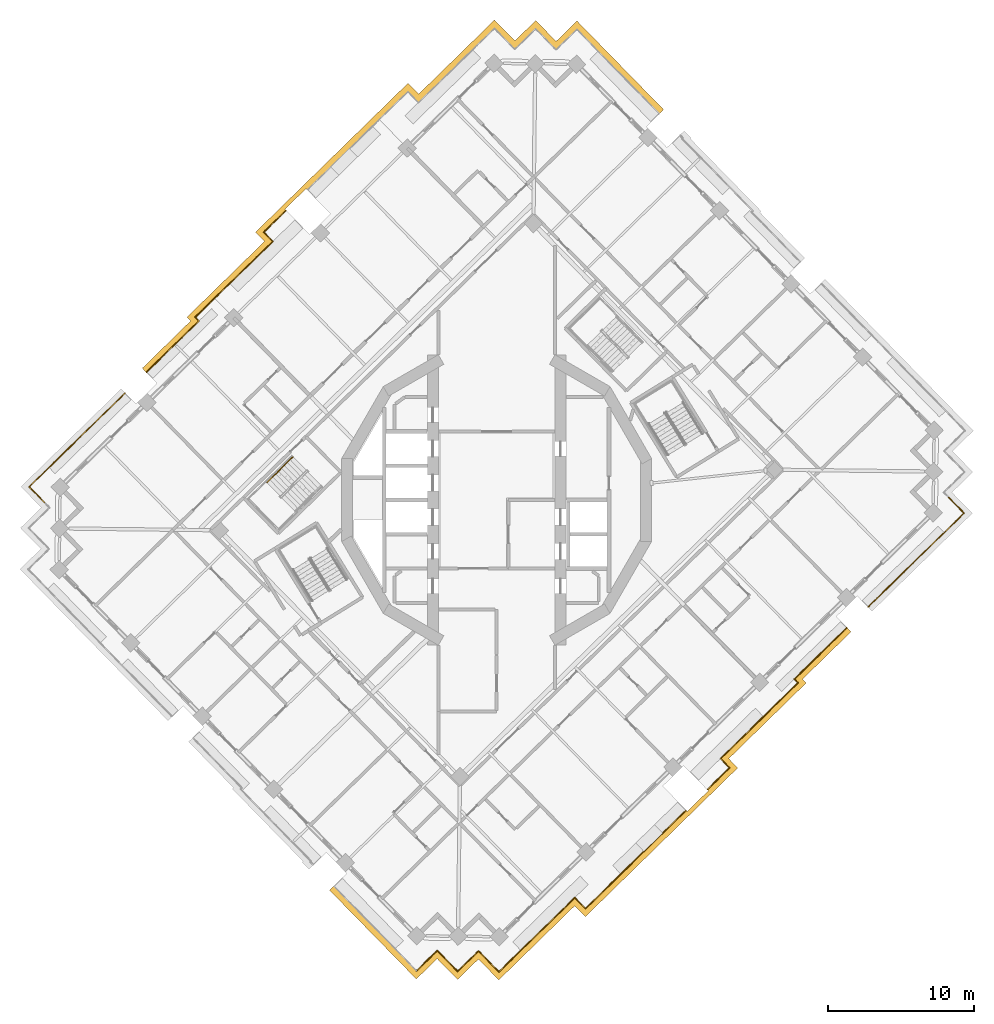
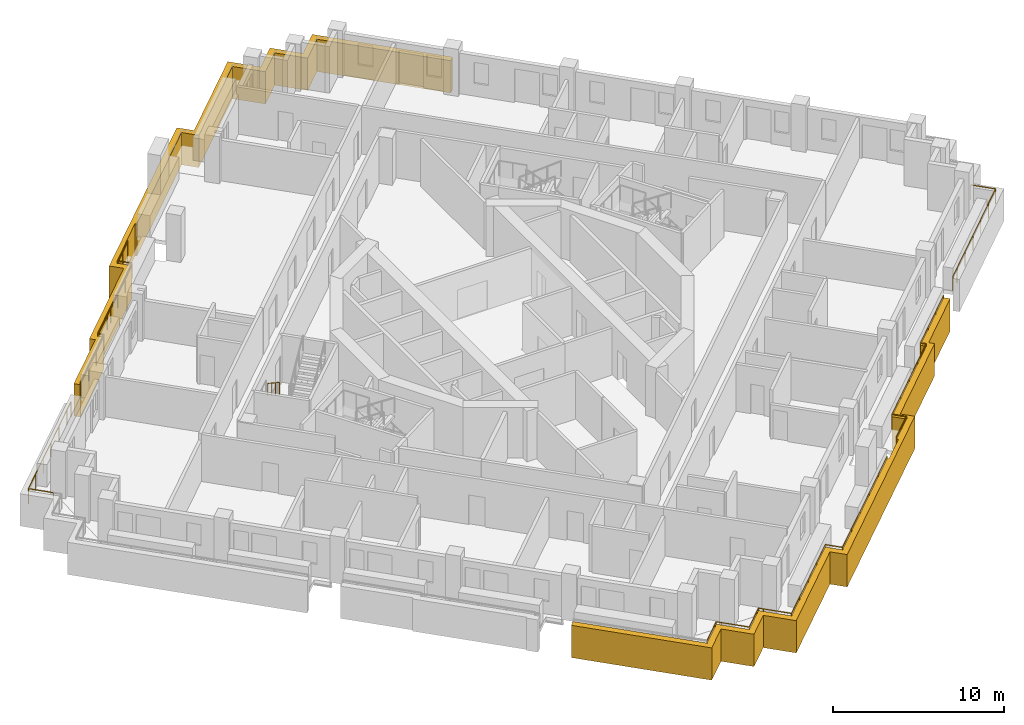
# One storey, part 15 of 19: 7 railings, 2 coverings.
"""IFC4 building model written with IfcOpenShell, lengths in metres."""

from ifc_helpers import new_model, si_unit, direction, frame, origin, origin_2d, place, context, subcontext, project, spatial, polyline, circle, outline, extrude, material, type_object, element, save


model = new_model("IFC4")

# Units and contexts
model_context = context("Model", 3, precision=1e-05, world=origin(), true_north=direction((0.0, 1.0)))
body_context = subcontext(model_context, "Body", "Model", "MODEL_VIEW")
ifc_project = project(units=[si_unit("LENGTHUNIT", "METRE"), si_unit("AREAUNIT", "SQUARE_METRE"), si_unit("VOLUMEUNIT", "CUBIC_METRE"), si_unit("PLANEANGLEUNIT", "RADIAN"), si_unit("MASSUNIT", "GRAM", prefix="KILO")], contexts=[model_context])

# Site, building, storey
site_placement = place(None, origin())
site = spatial("IfcSite", under=ifc_project, at=site_placement, CompositionType="ELEMENT")
building_placement = place(site_placement, origin())
building = spatial("IfcBuilding", under=site, at=building_placement, Name="Cantera Rosa Tower", CompositionType="ELEMENT")
storey_placement = place(building_placement, frame((0.0, 0.0, 216.199951171875)))
storey = spatial("IfcBuildingStorey", under=building, at=storey_placement, Name="L46", CompositionType="ELEMENT", Elevation=216.199951171875)

# Railings
ifc_material_1 = material(Name="Stainless steel and laminated glass", Category="steel")
railing_type_1 = type_object("IfcRailingType", Name="GUARD 1100", PredefinedType="BALUSTRADE", material=ifc_material_1)
railing_1_placement = place(storey_placement, frame((-31.0107421875, -0.16943359375, 0.0)))
element("IfcRailing", 1, at=railing_1_placement, inside=storey, type_object=railing_type_1, Name="GUARD L46-2", PredefinedType="BALUSTRADE", context=body_context, shape_type="SweptSolid", body=[
    extrude(circle(Radius=0.030029296875, at=origin_2d()), frame((0.0, 0.0, 1.070068359375), z_axis=(-0.698838323933, 0.71527966349, 0.0), x_axis=(-0.71527966349, -0.698838323933, 0.0)), (0.0, 0.0, 1.0), 1.499755859375),
    extrude(circle(Radius=0.030029296875, at=origin_2d()), frame((-1.048095703125, 1.07275390625, 1.070068359375), z_axis=(0.71519829713, 0.698921594874, 0.0), x_axis=(-0.698921594874, 0.71519829713, 0.0)), (0.0, 0.0, 1.0), 1.5),
    extrude(circle(Radius=0.030029296875, at=origin_2d()), frame((0.024658203125, 2.12109375, 1.070068359375), z_axis=(0.715292116391, 0.698825577829, 0.0), x_axis=(-0.698825577829, 0.715292116391, 0.0)), (0.0, 0.0, 1.0), 6.820068359375),
    extrude(circle(Radius=0.030029296875, at=origin_2d()), frame((4.903076171875, 6.88720703125, 1.070068359375), z_axis=(0.715337030636, 0.698779602308, 0.0), x_axis=(-0.698779602308, 0.715337030636, 0.0)), (0.0, 0.0, 1.0), 0.869873046875),
    extrude(circle(Radius=0.02490234375, at=origin_2d()), origin(), (0.0, 0.0, 1.0), 1.0400390625),
    extrude(circle(Radius=0.02490234375, at=origin_2d()), frame((-1.048095703125, 1.07275390625, 0.0)), (0.0, 0.0, 1.0), 1.0400390625),
    extrude(circle(Radius=0.02490234375, at=origin_2d()), frame((0.024658203125, 2.12109375, 0.0)), (0.0, 0.0, 1.0), 1.0400390625),
    extrude(circle(Radius=0.02490234375, at=origin_2d()), frame((1.244140625, 3.3125, 0.0)), (0.0, 0.0, 1.0), 1.0400390625),
    extrude(circle(Radius=0.02490234375, at=origin_2d()), frame((2.4638671875, 4.504150390625, 0.0)), (0.0, 0.0, 1.0), 1.0400390625),
    extrude(circle(Radius=0.02490234375, at=origin_2d()), frame((3.68359375, 5.69580078125, 0.0)), (0.0, 0.0, 1.0), 1.0400390625),
    extrude(circle(Radius=0.02490234375, at=origin_2d()), frame((4.903076171875, 6.88720703125, 0.0)), (0.0, 0.0, 1.0), 1.0400390625),
    extrude(circle(Radius=0.02490234375, at=origin_2d()), frame((5.525390625, 7.4951171875, 0.0)), (0.0, 0.0, 1.0), 1.0400390625),
])
railing_2_placement = place(storey_placement, frame((-24.011962890625, 8.765380859375, 0.0)))
element("IfcRailing", 2, at=railing_2_placement, inside=storey, type_object=railing_type_1, Name="GUARD L46-4", PredefinedType="BALUSTRADE", context=body_context, shape_type="SweptSolid", body=[
    extrude(circle(Radius=0.030029296875, at=origin_2d()), frame((0.0, 0.0, 1.070068359375), z_axis=(0.715781948377, 0.698323852075, 0.0), x_axis=(-0.698323852075, 0.715781948377, 0.0)), (0.0, 0.0, 1.0), 0.06982421875),
    extrude(circle(Radius=0.030029296875, at=origin_2d()), frame((0.050048828125, 0.048828125, 1.070068359375), z_axis=(0.715307478522, 0.698809853372, 0.0), x_axis=(-0.698809853372, 0.715307478522, 0.0)), (0.0, 0.0, 1.0), 4.95751953125),
    extrude(circle(Radius=0.030029296875, at=origin_2d()), frame((3.59619140625, 3.51318359375, 1.070068359375), z_axis=(-0.698979914653, 0.715141299963, 0.0), x_axis=(-0.715141299963, -0.698979914653, 0.0)), (0.0, 0.0, 1.0), 0.362548828125),
    extrude(circle(Radius=0.030029296875, at=origin_2d()), frame((3.3427734375, 3.7724609375, 1.070068359375), z_axis=(0.715308480556, 0.698808827681, 0.0), x_axis=(-0.698808827681, 0.715308480556, 0.0)), (0.0, 0.0, 1.0), 2.012451171875),
    extrude(circle(Radius=0.030029296875, at=origin_2d()), frame((4.7822265625, 5.1787109375, 1.070068359375), z_axis=(0.0, 1.0, 0.0), x_axis=(-1.0, 0.0, 0.0)), (0.0, 0.0, 1.0), 0.000244140625),
    extrude(circle(Radius=0.030029296875, at=origin_2d()), frame((4.7822265625, 5.178955078125, 1.070068359375), z_axis=(0.715429611281, 0.698684815423, 0.0), x_axis=(-0.698684815423, 0.715429611281, 0.0)), (0.0, 0.0, 1.0), 0.74365234375),
    extrude(circle(Radius=0.030029296875, at=origin_2d()), frame((5.314208984375, 5.698486328125, 1.070068359375), z_axis=(0.715254206979, 0.698864378402, 0.0), x_axis=(-0.698864378402, 0.715254206979, 0.0)), (0.0, 0.0, 1.0), 4.67724609375),
    extrude(circle(Radius=0.030029296875, at=origin_2d()), frame((8.65966796875, 8.96728515625, 1.070068359375), z_axis=(0.707106781187, 0.707106781187, 0.0), x_axis=(-0.707106781187, 0.707106781187, 0.0)), (0.0, 0.0, 1.0), 0.00244140625),
    extrude(circle(Radius=0.030029296875, at=origin_2d()), frame((8.661376953125, 8.968994140625, 1.070068359375), z_axis=(-0.633237790257, 0.773957299203, 0.0), x_axis=(-0.773957299203, -0.633237790257, 0.0)), (0.0, 0.0, 1.0), 0.00341796875),
    extrude(circle(Radius=0.030029296875, at=origin_2d()), frame((8.6591796875, 8.9716796875, 1.070068359375), z_axis=(-0.698878138673, 0.715240761761, 0.0), x_axis=(-0.715240761761, -0.698878138673, 0.0)), (0.0, 0.0, 1.0), 0.88037109375),
    extrude(circle(Radius=0.030029296875, at=origin_2d()), frame((8.0439453125, 9.601318359375, 1.070068359375), z_axis=(0.715224303684, 0.698894981682, 0.0), x_axis=(-0.698894981682, 0.715224303684, 0.0)), (0.0, 0.0, 1.0), 0.1494140625),
    extrude(circle(Radius=0.030029296875, at=origin_2d()), frame((8.15087890625, 9.705810546875, 1.070068359375), z_axis=(0.4472135955, 0.894427191, 0.0), x_axis=(-0.894427191, 0.4472135955, 0.0)), (0.0, 0.0, 1.0), 0.00048828125),
    extrude(circle(Radius=0.030029296875, at=origin_2d()), frame((8.151123046875, 9.706298828125, 1.070068359375), z_axis=(0.715373250002, 0.698742522809, 0.0), x_axis=(-0.698742522809, 0.715373250002, 0.0)), (0.0, 0.0, 1.0), 0.968994140625),
    extrude(circle(Radius=0.030029296875, at=origin_2d()), frame((8.84423828125, 10.38330078125, 1.070068359375), z_axis=(0.715256697408, 0.698861829558, 0.0), x_axis=(-0.698861829558, 0.715256697408, 0.0)), (0.0, 0.0, 1.0), 0.997802734375),
    extrude(circle(Radius=0.02490234375, at=origin_2d()), origin(), (0.0, 0.0, 1.0), 1.0400390625),
    extrude(circle(Radius=0.02490234375, at=origin_2d()), frame((0.050048828125, 0.048828125, 0.0)), (0.0, 0.0, 1.0), 1.0400390625),
    extrude(circle(Radius=0.02490234375, at=origin_2d()), frame((1.232177734375, 1.20361328125, 0.0)), (0.0, 0.0, 1.0), 1.0400390625),
    extrude(circle(Radius=0.02490234375, at=origin_2d()), frame((2.4140625, 2.3583984375, 0.0)), (0.0, 0.0, 1.0), 1.0400390625),
    extrude(circle(Radius=0.02490234375, at=origin_2d()), frame((3.59619140625, 3.51318359375, 0.0)), (0.0, 0.0, 1.0), 1.0400390625),
    extrude(circle(Radius=0.02490234375, at=origin_2d()), frame((3.3427734375, 3.7724609375, 0.0)), (0.0, 0.0, 1.0), 1.0400390625),
    extrude(circle(Radius=0.02490234375, at=origin_2d()), frame((4.7822265625, 5.1787109375, 0.0)), (0.0, 0.0, 1.0), 1.0400390625),
    extrude(circle(Radius=0.02490234375, at=origin_2d()), frame((4.7822265625, 5.178955078125, 0.0)), (0.0, 0.0, 1.0), 1.0400390625),
    extrude(circle(Radius=0.02490234375, at=origin_2d()), frame((5.314208984375, 5.698486328125, 0.0)), (0.0, 0.0, 1.0), 1.0400390625),
    extrude(circle(Radius=0.02490234375, at=origin_2d()), frame((6.429443359375, 6.7880859375, 0.0)), (0.0, 0.0, 1.0), 1.0400390625),
    extrude(circle(Radius=0.02490234375, at=origin_2d()), frame((7.54443359375, 7.877685546875, 0.0)), (0.0, 0.0, 1.0), 1.0400390625),
    extrude(circle(Radius=0.02490234375, at=origin_2d()), frame((8.65966796875, 8.96728515625, 0.0)), (0.0, 0.0, 1.0), 1.0400390625),
    extrude(circle(Radius=0.02490234375, at=origin_2d()), frame((8.661376953125, 8.968994140625, 0.0)), (0.0, 0.0, 1.0), 1.0400390625),
    extrude(circle(Radius=0.02490234375, at=origin_2d()), frame((8.6591796875, 8.9716796875, 0.0)), (0.0, 0.0, 1.0), 1.0400390625),
    extrude(circle(Radius=0.02490234375, at=origin_2d()), frame((8.0439453125, 9.601318359375, 0.0)), (0.0, 0.0, 1.0), 1.0400390625),
    extrude(circle(Radius=0.02490234375, at=origin_2d()), frame((8.15087890625, 9.705810546875, 0.0)), (0.0, 0.0, 1.0), 1.0400390625),
    extrude(circle(Radius=0.02490234375, at=origin_2d()), frame((8.151123046875, 9.706298828125, 0.0)), (0.0, 0.0, 1.0), 1.0400390625),
    extrude(circle(Radius=0.02490234375, at=origin_2d()), frame((8.84423828125, 10.38330078125, 0.0)), (0.0, 0.0, 1.0), 1.0400390625),
    extrude(circle(Radius=0.02490234375, at=origin_2d()), frame((9.557861328125, 11.08056640625, 0.0)), (0.0, 0.0, 1.0), 1.0400390625),
])
railing_3_placement = place(storey_placement, frame((12.980712890625, -21.285400390625, 0.0)))
element("IfcRailing", 3, at=railing_3_placement, inside=storey, type_object=railing_type_1, Name="GUARD L46-7", PredefinedType="BALUSTRADE", context=body_context, shape_type="SweptSolid", body=[
    extrude(circle(Radius=0.030029296875, at=origin_2d()), frame((0.0, 0.0, 1.070068359375), z_axis=(-0.715280162096, -0.698837813596, 0.0), x_axis=(0.698837813596, -0.715280162096, 0.0)), (0.0, 0.0, 1.0), 9.636474609375),
    extrude(circle(Radius=0.030029296875, at=origin_2d()), frame((-6.892822265625, -6.734375, 1.070068359375), z_axis=(-0.698894981682, 0.715224303684, 0.0), x_axis=(-0.715224303684, -0.698894981682, 0.0)), (0.0, 0.0, 1.0), 1.046630859375),
    extrude(circle(Radius=0.030029296875, at=origin_2d()), frame((-7.624267578125, -5.98583984375, 1.070068359375), z_axis=(-0.715294189675, -0.698823455686, 0.0), x_axis=(0.698823455686, -0.715294189675, 0.0)), (0.0, 0.0, 1.0), 5.5732421875),
    extrude(circle(Radius=0.030029296875, at=origin_2d()), frame((-11.61083984375, -9.880615234375, 1.070068359375), z_axis=(-0.715316077832, -0.69880105094, 0.0), x_axis=(0.69880105094, -0.715316077832, 0.0)), (0.0, 0.0, 1.0), 1.699951171875),
    extrude(circle(Radius=0.030029296875, at=origin_2d()), frame((-12.826904296875, -11.068603515625, 1.070068359375), z_axis=(-0.698872839675, 0.715245939495, 0.0), x_axis=(-0.715245939495, -0.698872839675, 0.0)), (0.0, 0.0, 1.0), 1.699951171875),
    extrude(circle(Radius=0.030029296875, at=origin_2d()), frame((-14.014892578125, -9.852783203125, 1.070068359375), z_axis=(-0.698506948293, 0.715603272202, 0.0), x_axis=(-0.715603272202, -0.698506948293, 0.0)), (0.0, 0.0, 1.0), 0.2998046875),
    extrude(circle(Radius=0.030029296875, at=origin_2d()), frame((-14.224365234375, -9.63818359375, 1.070068359375), z_axis=(-0.715196445894, -0.698923489218, 0.0), x_axis=(0.698923489218, -0.715196445894, 0.0)), (0.0, 0.0, 1.0), 0.300048828125),
    extrude(circle(Radius=0.030029296875, at=origin_2d()), frame((-14.43896484375, -9.847900390625, 1.070068359375), z_axis=(-0.715316077832, -0.69880105094, 0.0), x_axis=(0.69880105094, -0.715316077832, 0.0)), (0.0, 0.0, 1.0), 1.699951171875),
    extrude(circle(Radius=0.030029296875, at=origin_2d()), frame((-15.655029296875, -11.035888671875, 1.070068359375), z_axis=(-0.69880105094, 0.715316077832, 0.0), x_axis=(-0.715316077832, -0.69880105094, 0.0)), (0.0, 0.0, 1.0), 1.699951171875),
    extrude(circle(Radius=0.030029296875, at=origin_2d()), frame((-16.843017578125, -9.81982421875, 1.070068359375), z_axis=(-0.698923489218, 0.715196445894, 0.0), x_axis=(-0.715196445894, -0.698923489218, 0.0)), (0.0, 0.0, 1.0), 0.300048828125),
    extrude(circle(Radius=0.030029296875, at=origin_2d()), frame((-17.052734375, -9.605224609375, 1.070068359375), z_axis=(-0.715196445894, -0.698923489218, 0.0), x_axis=(0.698923489218, -0.715196445894, 0.0)), (0.0, 0.0, 1.0), 0.300048828125),
    extrude(circle(Radius=0.030029296875, at=origin_2d()), frame((-17.267333984375, -9.81494140625, 1.070068359375), z_axis=(-0.715316077832, -0.69880105094, 0.0), x_axis=(0.69880105094, -0.715316077832, 0.0)), (0.0, 0.0, 1.0), 1.699951171875),
    extrude(circle(Radius=0.02490234375, at=origin_2d()), origin(), (0.0, 0.0, 1.0), 1.0400390625),
    extrude(circle(Radius=0.02490234375, at=origin_2d()), frame((-1.378662109375, -1.346923828125, 0.0)), (0.0, 0.0, 1.0), 1.0400390625),
    extrude(circle(Radius=0.02490234375, at=origin_2d()), frame((-2.757080078125, -2.69384765625, 0.0)), (0.0, 0.0, 1.0), 1.0400390625),
    extrude(circle(Radius=0.02490234375, at=origin_2d()), frame((-4.1357421875, -4.04052734375, 0.0)), (0.0, 0.0, 1.0), 1.0400390625),
    extrude(circle(Radius=0.02490234375, at=origin_2d()), frame((-5.51416015625, -5.387451171875, 0.0)), (0.0, 0.0, 1.0), 1.0400390625),
    extrude(circle(Radius=0.02490234375, at=origin_2d()), frame((-6.892822265625, -6.734375, 0.0)), (0.0, 0.0, 1.0), 1.0400390625),
    extrude(circle(Radius=0.02490234375, at=origin_2d()), frame((-7.624267578125, -5.98583984375, 0.0)), (0.0, 0.0, 1.0), 1.0400390625),
    extrude(circle(Radius=0.02490234375, at=origin_2d()), frame((-8.953125, -7.2841796875, 0.0)), (0.0, 0.0, 1.0), 1.0400390625),
    extrude(circle(Radius=0.02490234375, at=origin_2d()), frame((-10.281982421875, -8.582275390625, 0.0)), (0.0, 0.0, 1.0), 1.0400390625),
    extrude(circle(Radius=0.02490234375, at=origin_2d()), frame((-11.61083984375, -9.880615234375, 0.0)), (0.0, 0.0, 1.0), 1.0400390625),
    extrude(circle(Radius=0.02490234375, at=origin_2d()), frame((-12.826904296875, -11.068603515625, 0.0)), (0.0, 0.0, 1.0), 1.0400390625),
    extrude(circle(Radius=0.02490234375, at=origin_2d()), frame((-14.014892578125, -9.852783203125, 0.0)), (0.0, 0.0, 1.0), 1.0400390625),
    extrude(circle(Radius=0.02490234375, at=origin_2d()), frame((-14.224365234375, -9.63818359375, 0.0)), (0.0, 0.0, 1.0), 1.0400390625),
    extrude(circle(Radius=0.02490234375, at=origin_2d()), frame((-14.43896484375, -9.847900390625, 0.0)), (0.0, 0.0, 1.0), 1.0400390625),
    extrude(circle(Radius=0.02490234375, at=origin_2d()), frame((-15.655029296875, -11.035888671875, 0.0)), (0.0, 0.0, 1.0), 1.0400390625),
    extrude(circle(Radius=0.02490234375, at=origin_2d()), frame((-16.843017578125, -9.81982421875, 0.0)), (0.0, 0.0, 1.0), 1.0400390625),
    extrude(circle(Radius=0.02490234375, at=origin_2d()), frame((-17.052734375, -9.605224609375, 0.0)), (0.0, 0.0, 1.0), 1.0400390625),
    extrude(circle(Radius=0.02490234375, at=origin_2d()), frame((-17.267333984375, -9.81494140625, 0.0)), (0.0, 0.0, 1.0), 1.0400390625),
    extrude(circle(Radius=0.02490234375, at=origin_2d()), frame((-18.4833984375, -11.0029296875, 0.0)), (0.0, 0.0, 1.0), 1.0400390625),
])
railing_4_placement = place(storey_placement, frame((20.669189453125, -12.537841796875, 0.0)))
element("IfcRailing", 4, at=railing_4_placement, inside=storey, type_object=railing_type_1, Name="GUARD L46-8", PredefinedType="BALUSTRADE", context=body_context, shape_type="SweptSolid", body=[
    extrude(circle(Radius=0.030029296875, at=origin_2d()), frame((0.0, 0.0, 1.070068359375), z_axis=(-0.715283428382, -0.698834470445, 0.0), x_axis=(0.698834470445, -0.715283428382, 0.0)), (0.0, 0.0, 1.0), 7.43603515625),
    extrude(circle(Radius=0.030029296875, at=origin_2d()), frame((-5.31884765625, -5.196533203125, 1.070068359375), z_axis=(0.698772394349, -0.715344071685, 0.0), x_axis=(0.715344071685, 0.698772394349, 0.0)), (0.0, 0.0, 1.0), 0.884033203125),
    extrude(circle(Radius=0.030029296875, at=origin_2d()), frame((-4.701171875, -5.828857421875, 1.070068359375), z_axis=(-0.715248787586, -0.698869924848, 0.0), x_axis=(0.698869924848, -0.715248787586, 0.0)), (0.0, 0.0, 1.0), 2.11669921875),
    extrude(circle(Radius=0.02490234375, at=origin_2d()), origin(), (0.0, 0.0, 1.0), 1.0400390625),
    extrude(circle(Radius=0.02490234375, at=origin_2d()), frame((-1.32958984375, -1.299072265625, 0.0)), (0.0, 0.0, 1.0), 1.0400390625),
    extrude(circle(Radius=0.02490234375, at=origin_2d()), frame((-2.659423828125, -2.59814453125, 0.0)), (0.0, 0.0, 1.0), 1.0400390625),
    extrude(circle(Radius=0.02490234375, at=origin_2d()), frame((-3.9892578125, -3.8974609375, 0.0)), (0.0, 0.0, 1.0), 1.0400390625),
    extrude(circle(Radius=0.02490234375, at=origin_2d()), frame((-5.31884765625, -5.196533203125, 0.0)), (0.0, 0.0, 1.0), 1.0400390625),
    extrude(circle(Radius=0.02490234375, at=origin_2d()), frame((-4.701171875, -5.828857421875, 0.0)), (0.0, 0.0, 1.0), 1.0400390625),
    extrude(circle(Radius=0.02490234375, at=origin_2d()), frame((-5.4580078125, -6.568359375, 0.0)), (0.0, 0.0, 1.0), 1.0400390625),
    extrude(circle(Radius=0.02490234375, at=origin_2d()), frame((-6.215087890625, -7.30810546875, 0.0)), (0.0, 0.0, 1.0), 1.0400390625),
])
railing_5_placement = place(storey_placement, frame((24.011962890625, -8.765380859375, 0.0)))
element("IfcRailing", 5, at=railing_5_placement, inside=storey, type_object=railing_type_1, Name="GUARD L46-9", PredefinedType="BALUSTRADE", context=body_context, shape_type="SweptSolid", body=[
    extrude(circle(Radius=0.030029296875, at=origin_2d()), frame((0.0, 0.0, 1.070068359375), z_axis=(-0.715781948377, -0.698323852075, 0.0), x_axis=(0.698323852075, -0.715781948377, 0.0)), (0.0, 0.0, 1.0), 0.06982421875),
    extrude(circle(Radius=0.030029296875, at=origin_2d()), frame((-0.050048828125, -0.048828125, 1.070068359375), z_axis=(-0.715307478522, -0.698809853372, 0.0), x_axis=(0.698809853372, -0.715307478522, 0.0)), (0.0, 0.0, 1.0), 4.95751953125),
    extrude(circle(Radius=0.030029296875, at=origin_2d()), frame((-3.59619140625, -3.51318359375, 1.070068359375), z_axis=(0.698979914653, -0.715141299963, 0.0), x_axis=(0.715141299963, 0.698979914653, 0.0)), (0.0, 0.0, 1.0), 0.362548828125),
    extrude(circle(Radius=0.02490234375, at=origin_2d()), origin(), (0.0, 0.0, 1.0), 1.0400390625),
    extrude(circle(Radius=0.02490234375, at=origin_2d()), frame((-0.050048828125, -0.048828125, 0.0)), (0.0, 0.0, 1.0), 1.0400390625),
    extrude(circle(Radius=0.02490234375, at=origin_2d()), frame((-1.232177734375, -1.20361328125, 0.0)), (0.0, 0.0, 1.0), 1.0400390625),
    extrude(circle(Radius=0.02490234375, at=origin_2d()), frame((-2.4140625, -2.3583984375, 0.0)), (0.0, 0.0, 1.0), 1.0400390625),
    extrude(circle(Radius=0.02490234375, at=origin_2d()), frame((-3.59619140625, -3.51318359375, 0.0)), (0.0, 0.0, 1.0), 1.0400390625),
    extrude(circle(Radius=0.02490234375, at=origin_2d()), frame((-3.3427734375, -3.7724609375, 0.0)), (0.0, 0.0, 1.0), 1.0400390625),
])
railing_6_placement = place(storey_placement, frame((31.0107421875, 0.16943359375, 0.0)))
element("IfcRailing", 6, at=railing_6_placement, inside=storey, type_object=railing_type_1, Name="GUARD L46-10", PredefinedType="BALUSTRADE", context=body_context, shape_type="SweptSolid", body=[
    extrude(circle(Radius=0.030029296875, at=origin_2d()), frame((0.0, 0.0, 1.070068359375), z_axis=(0.698838323933, -0.71527966349, 0.0), x_axis=(0.71527966349, 0.698838323933, 0.0)), (0.0, 0.0, 1.0), 1.499755859375),
    extrude(circle(Radius=0.030029296875, at=origin_2d()), frame((1.048095703125, -1.07275390625, 1.070068359375), z_axis=(-0.71519829713, -0.698921594874, 0.0), x_axis=(0.698921594874, -0.71519829713, 0.0)), (0.0, 0.0, 1.0), 1.5),
    extrude(circle(Radius=0.030029296875, at=origin_2d()), frame((-0.024658203125, -2.12109375, 1.070068359375), z_axis=(-0.715292116391, -0.698825577829, 0.0), x_axis=(0.698825577829, -0.715292116391, 0.0)), (0.0, 0.0, 1.0), 6.820068359375),
    extrude(circle(Radius=0.030029296875, at=origin_2d()), frame((-4.903076171875, -6.88720703125, 1.070068359375), z_axis=(-0.715337030636, -0.698779602308, 0.0), x_axis=(0.698779602308, -0.715337030636, 0.0)), (0.0, 0.0, 1.0), 0.869873046875),
    extrude(circle(Radius=0.02490234375, at=origin_2d()), origin(), (0.0, 0.0, 1.0), 1.0400390625),
    extrude(circle(Radius=0.02490234375, at=origin_2d()), frame((1.048095703125, -1.07275390625, 0.0)), (0.0, 0.0, 1.0), 1.0400390625),
    extrude(circle(Radius=0.02490234375, at=origin_2d()), frame((-0.024658203125, -2.12109375, 0.0)), (0.0, 0.0, 1.0), 1.0400390625),
    extrude(circle(Radius=0.02490234375, at=origin_2d()), frame((-1.244140625, -3.3125, 0.0)), (0.0, 0.0, 1.0), 1.0400390625),
    extrude(circle(Radius=0.02490234375, at=origin_2d()), frame((-2.4638671875, -4.504150390625, 0.0)), (0.0, 0.0, 1.0), 1.0400390625),
    extrude(circle(Radius=0.02490234375, at=origin_2d()), frame((-3.68359375, -5.69580078125, 0.0)), (0.0, 0.0, 1.0), 1.0400390625),
    extrude(circle(Radius=0.02490234375, at=origin_2d()), frame((-4.903076171875, -6.88720703125, 0.0)), (0.0, 0.0, 1.0), 1.0400390625),
    extrude(circle(Radius=0.02490234375, at=origin_2d()), frame((-5.525390625, -7.4951171875, 0.0)), (0.0, 0.0, 1.0), 1.0400390625),
])
ifc_material_2 = material(Name="Steel S355J2 (EN 10025-2)", Category="steel")
railing_type_2 = type_object("IfcRailingType", Name="STAIR HANDRAIL 900", PredefinedType="HANDRAIL", material=ifc_material_2)
railing_7_placement = place(storey_placement, frame((-13.95947265625, 2.9619140625, 0.179931640625)))
element("IfcRailing", 7, at=railing_7_placement, inside=storey, type_object=railing_type_2, Name="L46 ST-43 stair handrail 1", PredefinedType="HANDRAIL", context=body_context, shape_type="SweptSolid", body=[
    extrude(circle(Radius=0.02392578125, at=origin_2d()), frame((0.0, 0.0, 0.8759765625), z_axis=(-0.601672219931, -0.587818193466, 0.54079599776), x_axis=(0.698823692472, -0.715293958342, 0.0)), (0.0, 0.0, 1.0), 2.995849609375),
    extrude(circle(Radius=0.02099609375, at=origin_2d()), origin(), (0.0, 0.0, 1.0), 0.851806640625),
    extrude(circle(Radius=0.02099609375, at=origin_2d()), frame((-0.600830078125, -0.5869140625, 0.5400390625)), (0.0, 0.0, 1.0), 0.851806640625),
    extrude(circle(Radius=0.02099609375, at=origin_2d()), frame((-1.20166015625, -1.174072265625, 1.080078125)), (0.0, 0.0, 1.0), 0.851806640625),
    extrude(circle(Radius=0.02099609375, at=origin_2d()), frame((-1.802490234375, -1.760986328125, 1.6201171875)), (0.0, 0.0, 1.0), 0.851806640625),
])

# Coverings
ifc_material_3 = material(Name="Cantera stone", Category="masonry")
covering_type = type_object("IfcCoveringType", Name="TRAY FASCIA 400", PredefinedType="CLADDING", material=ifc_material_3)
covering_1_placement = place(storey_placement, frame((0.0, 0.0, -1.39990234375)))
element("IfcCovering", 8, at=covering_1_placement, inside=storey, type_object=covering_type, Name="TRAY FASCIA L46-03", PredefinedType="CLADDING", context=body_context, shape_type="SweptSolid", body=[
    extrude(outline(polyline([(-15.916015625, 17.740966796875), (-16.53369140625, 18.373291015625), (-6.081298828125, 28.58544921875), (-5.349853515625, 27.8369140625), (-1.6494140625, 31.4521484375), (-0.147216796875, 32.919677734375), (1.250244140625, 31.4892578125), (2.680908203125, 32.886962890625), (4.07861328125, 31.456298828125), (5.50927734375, 32.85400390625), (6.976806640625, 31.351806640625), (11.456298828125, 26.766845703125), (11.170166015625, 26.4873046875), (6.690673828125, 31.072265625), (5.502685546875, 32.288330078125), (4.28662109375, 31.100341796875), (4.072021484375, 30.890625), (3.8623046875, 31.105224609375), (2.67431640625, 32.3212890625), (1.458251953125, 31.13330078125), (1.24365234375, 30.923583984375), (1.0341796875, 31.13818359375), (-0.15380859375, 32.35400390625), (-1.369873046875, 31.166015625), (-5.3564453125, 27.271240234375), (-6.087890625, 28.019775390625), (-12.9951171875, 21.271484375), (-13.0673828125, 21.345458984375), (-13.068115234375, 21.34619140625), (-13.06884765625, 21.3466796875), (-13.069580078125, 21.34716796875), (-13.070556640625, 21.34765625), (-13.071533203125, 21.34814453125), (-13.072509765625, 21.348388671875), (-13.073486328125, 21.348388671875), (-13.074462890625, 21.348388671875), (-13.075439453125, 21.348388671875), (-13.076416015625, 21.348388671875), (-13.077392578125, 21.34814453125), (-13.078125, 21.34765625), (-13.0791015625, 21.347412109375), (-13.080078125, 21.346923828125), (-13.080810546875, 21.34619140625), (-13.08154296875, 21.345703125), (-14.511962890625, 19.947998046875), (-14.5126953125, 19.947265625), (-14.513427734375, 19.946533203125), (-14.513916015625, 19.945556640625), (-14.51416015625, 19.94482421875), (-14.5146484375, 19.94384765625), (-14.514892578125, 19.94287109375), (-14.514892578125, 19.94189453125), (-14.51513671875, 19.94091796875), (-14.51513671875, 19.93994140625), (-14.514892578125, 19.93896484375), (-14.5146484375, 19.93798828125), (-14.514404296875, 19.93701171875), (-14.513916015625, 19.936279296875), (-14.513427734375, 19.935302734375), (-14.512939453125, 19.9345703125), (-14.51220703125, 19.933837890625), (-14.43994140625, 19.85986328125), (-15.968017578125, 18.36669921875), (-15.350341796875, 17.734375), (-20.669189453125, 12.537841796875), (-20.415771484375, 12.278564453125), (-23.9619140625, 8.814208984375), (-24.0263671875, 8.751220703125), (-24.305908203125, 9.037353515625), (-24.241455078125, 9.100341796875), (-20.9814453125, 12.28515625), (-21.23486328125, 12.54443359375), (-15.916015625, 17.740966796875)])), origin(), (0.0, 0.0, 1.0), 2.300048828125),
])
covering_2_placement = place(storey_placement, frame((0.0, 0.0, -1.39990234375)))
element("IfcCovering", 9, at=covering_2_placement, inside=storey, type_object=covering_type, Name="TRAY FASCIA L46-04", PredefinedType="CLADDING", context=body_context, shape_type="SweptSolid", body=[
    extrude(outline(polyline([(24.241455078125, -9.100341796875), (20.9814453125, -12.28515625), (21.23486328125, -12.54443359375), (15.916015625, -17.740966796875), (16.53369140625, -18.373291015625), (6.081298828125, -28.58544921875), (5.349853515625, -27.8369140625), (1.6494140625, -31.4521484375), (0.147216796875, -32.919677734375), (-1.250244140625, -31.4892578125), (-2.680908203125, -32.886962890625), (-4.07861328125, -31.456298828125), (-5.50927734375, -32.85400390625), (-6.976806640625, -31.351806640625), (-11.456298828125, -26.766845703125), (-11.170166015625, -26.4873046875), (-6.690673828125, -31.072265625), (-5.502685546875, -32.288330078125), (-4.28662109375, -31.100341796875), (-4.072021484375, -30.890625), (-3.8623046875, -31.105224609375), (-2.67431640625, -32.3212890625), (-1.458251953125, -31.13330078125), (-1.24365234375, -30.923583984375), (-1.0341796875, -31.13818359375), (0.15380859375, -32.35400390625), (1.369873046875, -31.166015625), (5.3564453125, -27.271240234375), (6.087890625, -28.019775390625), (12.9951171875, -21.271484375), (13.0673828125, -21.345458984375), (13.068115234375, -21.34619140625), (13.06884765625, -21.3466796875), (13.069580078125, -21.34716796875), (13.070556640625, -21.34765625), (13.071533203125, -21.34814453125), (13.072509765625, -21.348388671875), (13.073486328125, -21.348388671875), (13.074462890625, -21.348388671875), (13.075439453125, -21.348388671875), (13.076416015625, -21.348388671875), (13.077392578125, -21.34814453125), (13.078125, -21.34765625), (13.0791015625, -21.347412109375), (13.080078125, -21.346923828125), (13.080810546875, -21.34619140625), (13.08154296875, -21.345703125), (14.511962890625, -19.947998046875), (14.5126953125, -19.947265625), (14.513427734375, -19.946533203125), (14.513916015625, -19.945556640625), (14.51416015625, -19.94482421875), (14.5146484375, -19.94384765625), (14.514892578125, -19.94287109375), (14.514892578125, -19.94189453125), (14.51513671875, -19.94091796875), (14.51513671875, -19.93994140625), (14.514892578125, -19.93896484375), (14.5146484375, -19.93798828125), (14.514404296875, -19.93701171875), (14.513916015625, -19.936279296875), (14.513427734375, -19.935302734375), (14.512939453125, -19.9345703125), (14.51220703125, -19.933837890625), (14.43994140625, -19.85986328125), (15.968017578125, -18.36669921875), (15.350341796875, -17.734375), (20.669189453125, -12.537841796875), (20.415771484375, -12.278564453125), (23.9619140625, -8.814208984375), (24.0263671875, -8.751220703125), (24.305908203125, -9.037353515625), (24.241455078125, -9.100341796875)])), origin(), (0.0, 0.0, 1.0), 2.300048828125),
])

save(model, "model.ifc")
